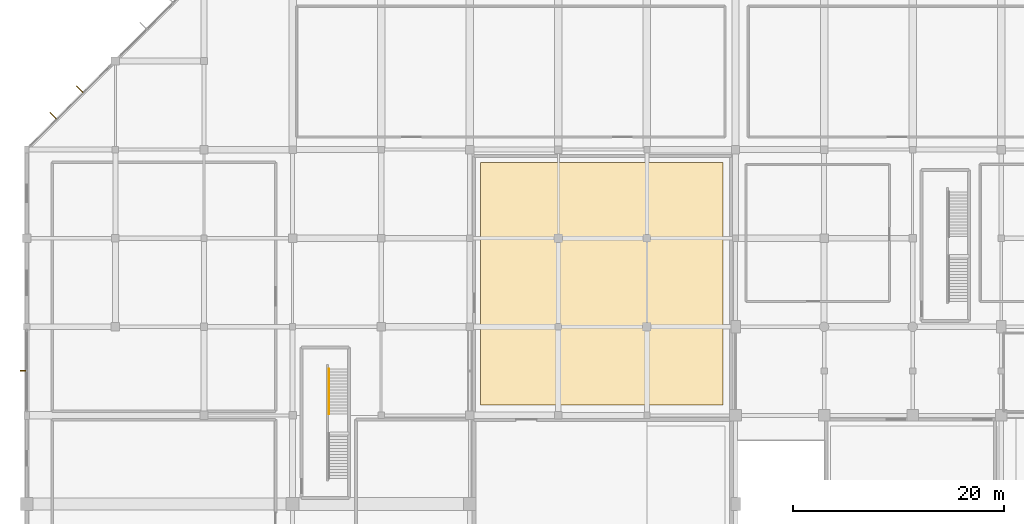
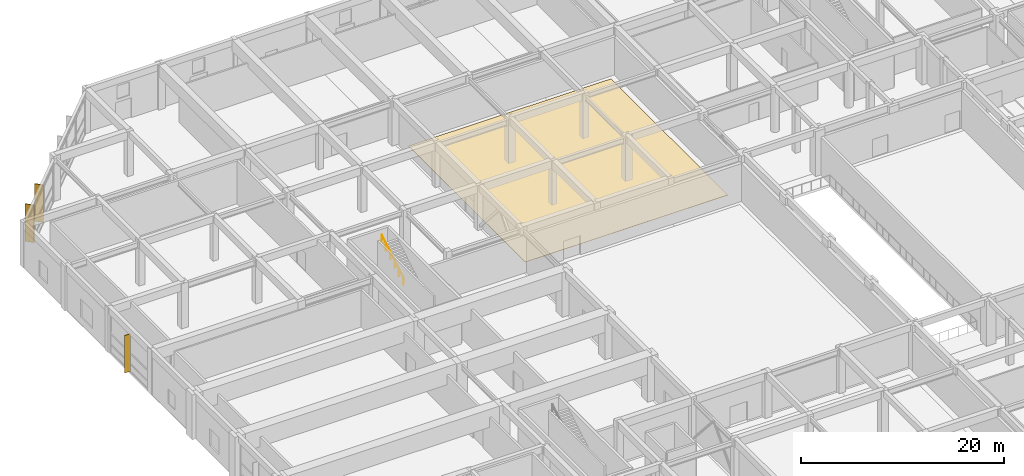
# One storey, part 57 of 62: 3 shading devices, 1 covering, 1 railing.
"""IFC4 building model written with IfcOpenShell, lengths in metres."""

from ifc_helpers import new_model, si_unit, direction, frame, origin, origin_2d, place, context, subcontext, project, spatial, polyline, rectangle, circle, outline, extrude, material, layer, layer_set, type_object, element, save


model = new_model("IFC4")

# Units and contexts
model_context = context("Model", 3, precision=1e-05, world=origin(), true_north=direction((0.0, 1.0)))
body_context = subcontext(model_context, "Body", "Model", "MODEL_VIEW")
ifc_project = project(units=[si_unit("LENGTHUNIT", "METRE"), si_unit("AREAUNIT", "SQUARE_METRE"), si_unit("VOLUMEUNIT", "CUBIC_METRE"), si_unit("PLANEANGLEUNIT", "RADIAN"), si_unit("MASSUNIT", "GRAM", prefix="KILO")], contexts=[model_context])

# Site, building, storey
site_placement = place(None, origin())
site = spatial("IfcSite", under=ifc_project, at=site_placement, CompositionType="ELEMENT")
building_placement = place(site_placement, origin())
building = spatial("IfcBuilding", under=site, at=building_placement, Name="Xuanlan Plaza Opera House", CompositionType="ELEMENT")
storey_placement = place(building_placement, origin())
storey = spatial("IfcBuildingStorey", under=building, at=storey_placement, Name="L00", CompositionType="ELEMENT", Elevation=0.0)

# Shading devices
ifc_material_1 = material(Name="Anodised Aluminium 6063-T6", Category="aluminium")
shading_device_type_1 = type_object("IfcShadingDeviceType", Name="ENV-SHD-BRS01", PredefinedType="JALOUSIE", material=ifc_material_1)
shading_device_placement = place(storey_placement, frame((-0.324951171875, 79.83740234375, 0.0400390625), z_axis=(0.0, 0.0, 1.0), x_axis=(-1.0, 0.0, 0.0)))
element("IfcShadingDevice", 1, at=shading_device_placement, inside=storey, type_object=shading_device_type_1, Name="Parametric Sunshade Fin L00-0032", PredefinedType="JALOUSIE", context=body_context, shape_type="SweptSolid", body=[
    extrude(rectangle(XDim=0.639892578125, YDim=0.070068359375, at=origin_2d()), origin(), (0.0, 0.0, 1.0), 4.5),
])
shading_device_type_2 = type_object("IfcShadingDeviceType", Name="ENV-SHD-BRS02", PredefinedType="JALOUSIE", material=ifc_material_1)
for number, where, z_axis, x_axis, name in (
    (2, (5.04638671875, 106.504150390625, 0.0400390625), (0.0, 0.0, 1.0), (-0.707106781187, 0.707106781187, 0.0), "Parametric Sunshade Fin L00-0030"),
    (3, (2.52099609375, 103.978515625, 0.0400390625), (0.0, 0.0, 1.0), (-0.707106781187, 0.707106781187, 0.0), "Parametric Sunshade Fin L00-0031"),
):
    element("IfcShadingDevice", number, at=place(storey_placement, frame(where, z_axis=z_axis, x_axis=x_axis)), inside=storey, type_object=shading_device_type_2, Name=name, PredefinedType="JALOUSIE", context=body_context, shape_type="SweptSolid", body=[
        extrude(rectangle(XDim=0.919921875, YDim=0.080078125, at=origin_2d()), origin(), (0.0, 0.0, 1.0), 4.5),
    ])

# Covering
ifc_material_2 = material(Name="Oregon Pine Hardwood Timber", Category="wood")
ifc_layer = layer(ifc_material_2, 0.030029296875)
ifc_layer_set = layer_set([ifc_layer], Name="Oregon Pine Hardwood Timber")
covering_type = type_object("IfcCoveringType", Name="INT-COV-FLR-01", PredefinedType="FLOORING", material=ifc_layer_set)
covering_placement = place(storey_placement, origin())
element("IfcCovering", 4, at=covering_placement, inside=storey, type_object=covering_type, Name="Acoustic Floor Finish FLR-SIDE-N", PredefinedType="FLOORING", context=body_context, shape_type="SweptSolid", body=[
    extrude(outline(polyline([(43.0, 76.60009765625), (66.0, 76.60009765625), (66.0, 99.60009765625), (43.0, 99.60009765625), (43.0, 76.60009765625)])), origin(), (0.0, 0.0, 1.0), 0.030029296875),
])

# Railing
ifc_material_3 = material(Name="Stainless Steel S30408", Category="steel")
railing_type = type_object("IfcRailingType", Name="INT-RL-HR01", PredefinedType="HANDRAIL", material=ifc_material_3)
railing_placement = place(storey_placement, frame((28.659912109375, 75.72509765625, 2.86865234375)))
element("IfcRailing", 5, at=railing_placement, inside=storey, type_object=railing_type, Name="Stair Handrail ST-P2 L00 Flight 2", PredefinedType="HANDRAIL", context=body_context, shape_type="SweptSolid", body=[
    extrude(circle(Radius=0.02392578125, at=origin_2d()), frame((0.0, 0.0, 0.8759765625), z_axis=(0.0, 0.860470286479, 0.509500624227), x_axis=(-1.0, 0.0, 0.0)), (0.0, 0.0, 1.0), 4.968017578125),
    extrude(circle(Radius=0.02099609375, at=origin_2d()), origin(), (0.0, 0.0, 1.0), 0.851806640625),
    extrude(circle(Radius=0.02099609375, at=origin_2d()), frame((0.0, 0.85498046875, 0.50634765625)), (0.0, 0.0, 1.0), 0.851806640625),
    extrude(circle(Radius=0.02099609375, at=origin_2d()), frame((0.0, 1.7099609375, 1.012451171875)), (0.0, 0.0, 1.0), 0.851806640625),
    extrude(circle(Radius=0.02099609375, at=origin_2d()), frame((0.0, 2.56494140625, 1.518798828125)), (0.0, 0.0, 1.0), 0.851806640625),
    extrude(circle(Radius=0.02099609375, at=origin_2d()), frame((0.0, 3.419921875, 2.02490234375)), (0.0, 0.0, 1.0), 0.851806640625),
    extrude(circle(Radius=0.02099609375, at=origin_2d()), frame((0.0, 4.27490234375, 2.53125)), (0.0, 0.0, 1.0), 0.851806640625),
])

save(model, "model.ifc")
